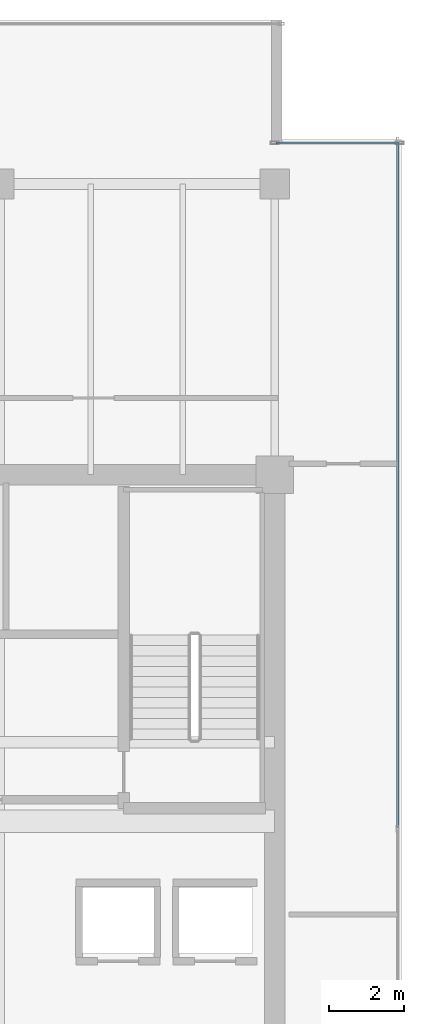
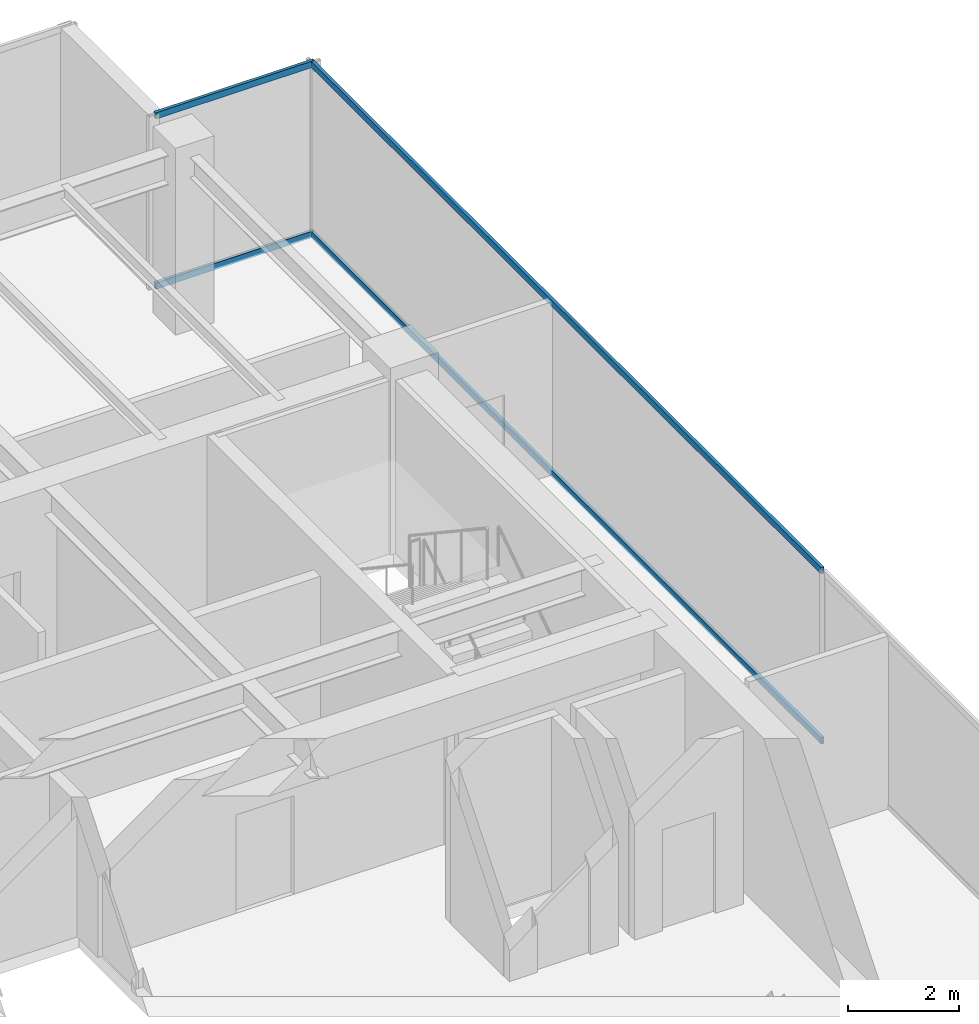
# One storey, part 25 of 33: 4 members, 2 elements without a shape of their own.
"""IFC4 building model written with IfcOpenShell, lengths in metres."""

from ifc_helpers import new_model, si_unit, direction, frame, origin, origin_2d, place, context, subcontext, project, spatial, hollow_rectangle, extrude, source, transform, mapped, material, layer, layer_set, material_profile, profile_set, type_object, type_shapes, element, aggregate, save


model = new_model("IFC4")

# Units and contexts
model_context = context("Model", 3, precision=1e-05, world=origin(), true_north=direction((0.0, 1.0)))
body_context = subcontext(model_context, "Body", "Model", "MODEL_VIEW")
ifc_project = project(units=[si_unit("LENGTHUNIT", "METRE"), si_unit("AREAUNIT", "SQUARE_METRE"), si_unit("VOLUMEUNIT", "CUBIC_METRE"), si_unit("PLANEANGLEUNIT", "RADIAN"), si_unit("MASSUNIT", "GRAM", prefix="KILO")], contexts=[model_context])

# Site, building, storey
site_placement = place(None, origin())
site = spatial("IfcSite", under=ifc_project, at=site_placement, CompositionType="ELEMENT")
building_placement = place(site_placement, origin())
building = spatial("IfcBuilding", under=site, at=building_placement, Name="Haelvirn Gate Laboratories", CompositionType="ELEMENT")
storey_placement = place(building_placement, frame((0.0, 0.0, 213.699951171875)))
storey = spatial("IfcBuildingStorey", under=building, at=storey_placement, Name="L51", CompositionType="ELEMENT", Elevation=213.699951171875)

# Curtain wall, members
ifc_material_1 = material(Name="Anodised bronze unitised aluminium & triple low-E glass", Category="aluminium")
ifc_layer_1 = layer(ifc_material_1, 0.181884765625, Name="CW-SYS-5")
ifc_layer_set_1 = layer_set([ifc_layer_1], Name="Anodised bronze unitised aluminium & triple low-E glass")
curtain_wall_type_1 = type_object("IfcCurtainWallType", Name="CW-SYS-5", PredefinedType="NOTDEFINED", material=ifc_layer_set_1)
curtain_wall_1_placement = place(storey_placement, origin())
curtain_wall_1 = element("IfcCurtainWall", 1, at=curtain_wall_1_placement, inside=storey, type_object=curtain_wall_type_1, Name="L51 Unitised Curtain Wall CW-L51-P0-E08-1", PredefinedType="NOTDEFINED")
ifc_material_2 = material(Name="Extruded aluminium 6063-T6 (anodised bronze)", Category="aluminium")
ifc_material_profile = material_profile(ifc_material_2, hollow_rectangle(XDim=0.06494140625, YDim=0.139892578125, WallThickness=0.00390625, at=origin_2d()), Name="CWT-140x65x4")
ifc_profile_set = profile_set([ifc_material_profile], Name="Extruded aluminium 6063-T6 (anodised bronze)")
member_type = type_object("IfcMemberType", Name="CWT-T140", PredefinedType="USERDEFINED", material=ifc_profile_set)
shared_shape_1 = source(origin(), body_context, "Body", "SweptSolid", [
    extrude(hollow_rectangle(XDim=0.06494140625, YDim=0.139892578125, WallThickness=0.00390625, at=origin_2d()), origin(), (0.0, 0.0, 1.0), 3.280029296875),
])
member_1_placement = place(storey_placement, frame((67.43994140625, 42.699951171875, 0.032470703125), z_axis=(1.0, 0.0, 0.0), x_axis=(0.0, 1.0, 0.0)))
member_1 = element("IfcMember", 2, at=member_1_placement, type_object=member_type, Name="CW5 transom 1.1", ObjectType="TRANSOM", PredefinedType="USERDEFINED", context=body_context, shape_type="MappedRepresentation", body=[
    mapped(shared_shape_1, transform((0.0, 0.0, 0.0), scale=1.0)),
])
member_2_placement = place(storey_placement, frame((67.43994140625, 42.699951171875, 3.767578125), z_axis=(1.0, 0.0, 0.0), x_axis=(0.0, 1.0, 0.0)))
member_2 = element("IfcMember", 3, at=member_2_placement, type_object=member_type, Name="CW5 transom 1.2", ObjectType="TRANSOM", PredefinedType="USERDEFINED", context=body_context, shape_type="MappedRepresentation", body=[
    mapped(shared_shape_1, transform((0.0, 0.0, 0.0), scale=1.0)),
])
aggregate(curtain_wall_1, [member_1, member_2])

ifc_layer_2 = layer(ifc_material_1, 0.176025390625, Name="CW-SYS-4")
ifc_layer_set_2 = layer_set([ifc_layer_2], Name="Anodised bronze unitised aluminium & triple low-E glass")
curtain_wall_type_2 = type_object("IfcCurtainWallType", Name="CW-SYS-4", PredefinedType="NOTDEFINED", material=ifc_layer_set_2)
curtain_wall_2_placement = place(storey_placement, origin())
curtain_wall_2 = element("IfcCurtainWall", 4, at=curtain_wall_2_placement, inside=storey, type_object=curtain_wall_type_2, Name="L51 Unitised Curtain Wall CW-L51-P0-E07", PredefinedType="NOTDEFINED")
shared_shape_2 = source(origin(), body_context, "Body", "SweptSolid", [
    extrude(hollow_rectangle(XDim=0.06494140625, YDim=0.139892578125, WallThickness=0.00390625, at=origin_2d()), origin(), (0.0, 0.0, 1.0), 18.39501953125),
])
type_shapes(member_type, [shared_shape_1, shared_shape_2])
member_3_placement = place(storey_placement, frame((70.699951171875, 24.3349609375, 0.032470703125), z_axis=(0.0, 1.0, 0.0), x_axis=(-1.0, 0.0, 0.0)))
member_3 = element("IfcMember", 5, at=member_3_placement, type_object=member_type, Name="CW4 transom 2.1", ObjectType="TRANSOM", PredefinedType="USERDEFINED", context=body_context, shape_type="MappedRepresentation", body=[
    mapped(shared_shape_2, transform((0.0, 0.0, 0.0), scale=1.0)),
])
member_4_placement = place(storey_placement, frame((70.699951171875, 24.3349609375, 3.767578125), z_axis=(0.0, 1.0, 0.0), x_axis=(-1.0, 0.0, 0.0)))
member_4 = element("IfcMember", 6, at=member_4_placement, type_object=member_type, Name="CW4 transom 2.2", ObjectType="TRANSOM", PredefinedType="USERDEFINED", context=body_context, shape_type="MappedRepresentation", body=[
    mapped(shared_shape_2, transform((0.0, 0.0, 0.0), scale=1.0)),
])
aggregate(curtain_wall_2, [member_3, member_4])

save(model, "model.ifc")
